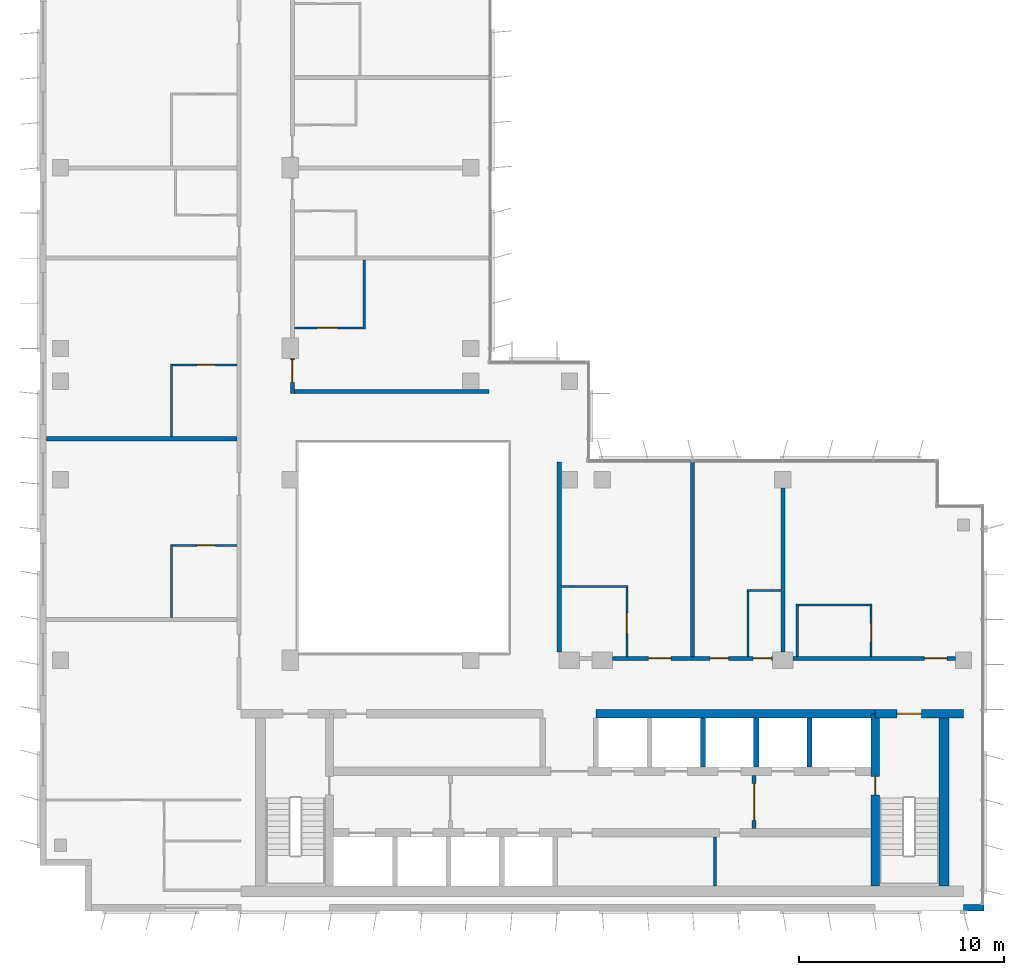
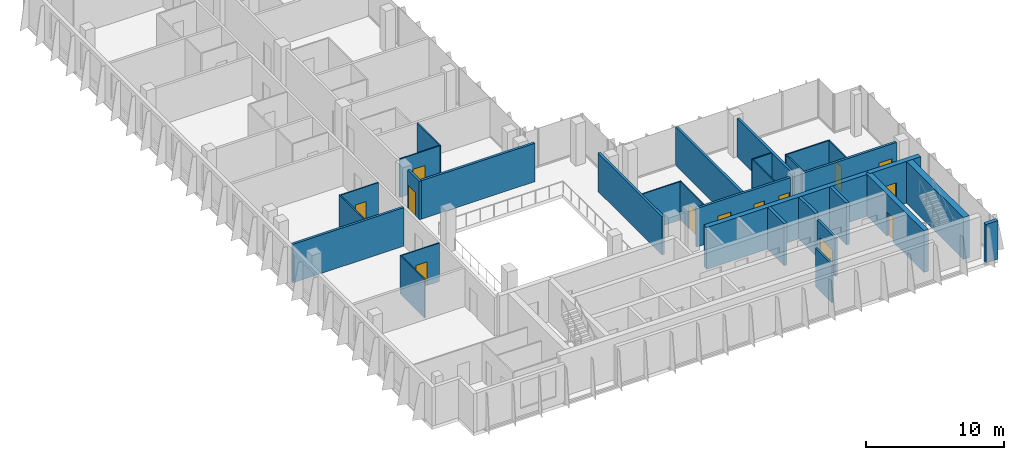
# One storey, part 10 of 15: 31 walls, 13 doors, 13 openings.
"""IFC4 building model written with IfcOpenShell, lengths in metres."""

from ifc_helpers import new_model, si_unit, direction, frame, frame_2d, origin, place, context, subcontext, project, spatial, rectangle, extrude, material, layer, layer_set, type_object, element, fill, save


model = new_model("IFC4")

# Units and contexts
model_context = context("Model", 3, precision=1e-05, world=origin(), true_north=direction((0.0, 1.0)))
body_context = subcontext(model_context, "Body", "Model", "MODEL_VIEW")
ifc_project = project(units=[si_unit("LENGTHUNIT", "METRE"), si_unit("AREAUNIT", "SQUARE_METRE"), si_unit("VOLUMEUNIT", "CUBIC_METRE"), si_unit("PLANEANGLEUNIT", "RADIAN"), si_unit("MASSUNIT", "GRAM", prefix="KILO")], contexts=[model_context])

# Site, building, storey
site_placement = place(None, origin())
site = spatial("IfcSite", under=ifc_project, at=site_placement, CompositionType="ELEMENT")
building_placement = place(site_placement, origin())
building = spatial("IfcBuilding", under=site, at=building_placement, Name="Kemantara Hotel Tower", CompositionType="ELEMENT")
storey_placement = place(building_placement, frame((0.0, 0.0, 268.5)))
storey = spatial("IfcBuildingStorey", under=building, at=storey_placement, Name="L67", CompositionType="ELEMENT", Elevation=268.5)

# Walls
ifc_material_1 = material(Name="Bronze anodised aluminium cladding on insulated steel stud wall", Category="steel")
ifc_layer_1 = layer(ifc_material_1, 0.300048828125)
ifc_layer_set_1 = layer_set([ifc_layer_1], Name="Bronze anodised aluminium cladding on insulated steel stud wall")
wall_type_1 = type_object("IfcWallType", Name="BRONZE METAL-CLAD EXTERNAL WALL 300", PredefinedType="STANDARD", material=ifc_layer_set_1)
wall_1_placement = place(storey_placement, frame((45.0, 0.14990234375, 0.0), z_axis=(0.0, 0.0, 1.0), x_axis=(1.0, 0.0, 0.0)))
element("IfcWall", 1, at=wall_1_placement, inside=storey, type_object=wall_type_1, Name="EXTERNAL WALL L67 T4-R08-3", PredefinedType="STANDARD", context=body_context, shape_type="SweptSolid", body=[
    extrude(rectangle(XDim=1.0, YDim=0.300048828125, at=frame_2d((0.5, 0.0))), origin(), (0.0, 0.0, 1.0), 3.39990234375),
])
ifc_material_2 = material(Name="Concrete fc 50 MPa", Category="concrete")
ifc_layer_2 = layer(ifc_material_2, 0.25)
ifc_layer_set_2 = layer_set([ifc_layer_2], Name="Concrete fc 50 MPa")
wall_type_2 = type_object("IfcWallType", Name="CORE WALL 250 FC50", PredefinedType="SHEAR", material=ifc_layer_set_2)
for number, where, z_axis, x_axis, name in (
    (2, (32.300048828125, 7.0, 0.0), (0.0, 0.0, 1.0), (0.0, 1.0, 0.0), "CORE WALL CW-DN32.3"),
    (3, (34.89990234375, 7.0, 0.0), (0.0, 0.0, 1.0), (0.0, 1.0, 0.0), "CORE WALL CW-DN34.9"),
    (4, (37.5, 7.0, 0.0), (0.0, 0.0, 1.0), (0.0, 1.0, 0.0), "CORE WALL CW-DN37.5"),
):
    element("IfcWall", number, at=place(storey_placement, frame(where, z_axis=z_axis, x_axis=x_axis)), inside=storey, type_object=wall_type_2, Name=name, PredefinedType="SHEAR", context=body_context, shape_type="SweptSolid", body=[
        extrude(rectangle(XDim=2.39990234375, YDim=0.25, at=frame_2d((1.199951171875, 0.0))), origin(), (0.0, 0.0, 1.0), 3.699951171875),
    ])

# Wall, opening, door
ifc_layer_3 = layer(ifc_material_2, 0.39990234375)
ifc_layer_set_3 = layer_set([ifc_layer_3], Name="Concrete fc 50 MPa")
wall_type_3 = type_object("IfcWallType", Name="CORE WALL 400 FC50", PredefinedType="SHEAR", material=ifc_layer_set_3)
wall_2_placement = place(storey_placement, frame((40.699951171875, 9.60009765625, 0.0), z_axis=(0.0, 0.0, 1.0), x_axis=(1.0, 0.0, 0.0)))
wall_2 = element("IfcWall", 5, at=wall_2_placement, inside=storey, type_object=wall_type_3, Name="CORE WALL CW-N2", PredefinedType="SHEAR", context=body_context, shape_type="SweptSolid", body=[
    extrude(rectangle(XDim=4.300048828125, YDim=0.39990234375, at=frame_2d((2.14990234375, 0.0))), origin(), (0.0, 0.0, 1.0), 3.699951171875),
])
opening_1_placement = place(wall_2_placement, frame((1.050048828125, 0.0, 0.0)))
opening_1 = element("IfcOpeningElement", 6, at=opening_1_placement, cuts=wall_2, Name="Opening C39-ST2-C", PredefinedType="OPENING", context=body_context, shape_type="SweptSolid", body=[
    extrude(rectangle(XDim=1.199951171875, YDim=2.10009765625, at=frame_2d((0.60009765625, 1.050048828125))), frame((0.0, 0.2099609375, 0.0), z_axis=(0.0, -1.0, 0.0), x_axis=(1.0, 0.0, 0.0)), (0.0, 0.0, 1.0), 0.419921875),
])
ifc_material_3 = material(Name="Steel fire door", Category="steel")
door_type_1 = type_object("IfcDoorType", Name="Fire door FD90 1200 x 2100", OperationType="NOTDEFINED", PredefinedType="DOOR", material=ifc_material_3)
door_1_placement = place(opening_1_placement, frame((1.199951171875, 0.0, 0.0), z_axis=(0.0, 0.0, 1.0), x_axis=(-1.0, 0.0, 0.0)))
door_1 = element("IfcDoor", 7, at=door_1_placement, inside=storey, type_object=door_type_1, Name="Stair ST2 door to corridor", OperationType="SINGLE_SWING_RIGHT", OverallHeight=2.10009765625, OverallWidth=1.199951171875, PredefinedType="DOOR", context=body_context, shape_type="SweptSolid", body=[
    extrude(rectangle(XDim=1.199951171875, YDim=2.10009765625, at=frame_2d((0.60009765625, 1.050048828125))), frame((0.0, 0.02490234375, 0.0), z_axis=(0.0, -1.0, 0.0), x_axis=(1.0, 0.0, 0.0)), (0.0, 0.0, 1.0), 0.050048828125),
])
fill(opening_1, door_1)

# Wall
wall_3_placement = place(storey_placement, frame((27.10009765625, 9.60009765625, 0.0), z_axis=(0.0, 0.0, 1.0), x_axis=(1.0, 0.0, 0.0)))
element("IfcWall", 8, at=wall_3_placement, inside=storey, type_object=wall_type_3, Name="CORE WALL CW-NN2", PredefinedType="SHEAR", context=body_context, shape_type="SweptSolid", body=[
    extrude(rectangle(XDim=13.599853515625, YDim=0.39990234375, at=frame_2d((6.7998046875, 0.0))), origin(), (0.0, 0.0, 1.0), 3.699951171875),
])

# Wall, opening, door
wall_4_placement = place(storey_placement, frame((40.699951171875, 1.199951171875, 0.0), z_axis=(0.0, 0.0, 1.0), x_axis=(0.0, 1.0, 0.0)))
wall_4 = element("IfcWall", 9, at=wall_4_placement, inside=storey, type_object=wall_type_3, Name="CORE WALL CW-ST2W", PredefinedType="SHEAR", context=body_context, shape_type="SweptSolid", body=[
    extrude(rectangle(XDim=8.400146484375, YDim=0.39990234375, at=frame_2d((4.2001953125, 0.0))), origin(), (0.0, 0.0, 1.0), 3.699951171875),
])
opening_2_placement = place(wall_4_placement, frame((4.449951171875, 0.0, 0.0)))
opening_2 = element("IfcOpeningElement", 10, at=opening_2_placement, cuts=wall_4, Name="Opening C39-ST2-F", PredefinedType="OPENING", context=body_context, shape_type="SweptSolid", body=[
    extrude(rectangle(XDim=0.89990234375, YDim=2.10009765625, at=frame_2d((0.449951171875, 1.050048828125))), frame((0.0, 0.2099609375, 0.0), z_axis=(0.0, -1.0, 0.0), x_axis=(1.0, 0.0, 0.0)), (0.0, 0.0, 1.0), 0.419921875),
])
door_type_2 = type_object("IfcDoorType", Name="Fire door FD90 900 x 2100", OperationType="NOTDEFINED", PredefinedType="DOOR", material=ifc_material_3)
door_2_placement = place(opening_2_placement, frame((0.89990234375, 0.0, 0.0), z_axis=(0.0, 0.0, 1.0), x_axis=(-1.0, 0.0, 0.0)))
door_2 = element("IfcDoor", 11, at=door_2_placement, inside=storey, type_object=door_type_2, Name="Stair ST2 door to firefighting lobby", OperationType="SINGLE_SWING_LEFT", OverallHeight=2.10009765625, OverallWidth=0.89990234375, PredefinedType="DOOR", context=body_context, shape_type="SweptSolid", body=[
    extrude(rectangle(XDim=0.89990234375, YDim=2.10009765625, at=frame_2d((0.449951171875, 1.050048828125))), frame((0.0, 0.02490234375, 0.0), z_axis=(0.0, -1.0, 0.0), x_axis=(1.0, 0.0, 0.0)), (0.0, 0.0, 1.0), 0.050048828125),
])
fill(opening_2, door_2)

# Wall
ifc_layer_4 = layer(ifc_material_2, 0.5)
ifc_layer_set_4 = layer_set([ifc_layer_4], Name="Concrete fc 50 MPa")
wall_type_4 = type_object("IfcWallType", Name="CORE WALL 500 FC50", PredefinedType="SHEAR", material=ifc_layer_set_4)
wall_5_placement = place(storey_placement, frame((44.050048828125, 1.199951171875, 0.0), z_axis=(0.0, 0.0, 1.0), x_axis=(0.0, 1.0, 0.0)))
element("IfcWall", 12, at=wall_5_placement, inside=storey, type_object=wall_type_4, Name="CORE WALL CW-E", PredefinedType="SHEAR", context=body_context, shape_type="SweptSolid", body=[
    extrude(rectangle(XDim=8.60009765625, YDim=0.5, at=frame_2d((4.300048828125, 0.0))), origin(), (0.0, 0.0, 1.0), 3.699951171875),
])

# Wall, openings, doors
ifc_material_4 = material(Name="Gypsum board partition, steel studs and mineral wool, 200 mm", Category="steel")
ifc_layer_5 = layer(ifc_material_4, 0.199951171875)
ifc_layer_set_5 = layer_set([ifc_layer_5], Name="Gypsum board partition, steel studs and mineral wool, 200 mm")
wall_type_5 = type_object("IfcWallType", Name="CORRIDOR WALL 200", PredefinedType="PARTITIONING", material=ifc_layer_set_5)
wall_6_placement = place(storey_placement, frame((27.900146484375, 12.300048828125, 0.0), z_axis=(0.0, 0.0, 1.0), x_axis=(1.0, 0.0, 0.0)))
wall_6 = element("IfcWall", 13, at=wall_6_placement, inside=storey, type_object=wall_type_5, Name="CORRIDOR WALL 200 002", PredefinedType="PARTITIONING", context=body_context, shape_type="SweptSolid", body=[
    extrude(rectangle(XDim=7.7998046875, YDim=0.199951171875, at=frame_2d((3.89990234375, 0.0))), origin(), (0.0, 0.0, 1.0), 3.39990234375),
])
opening_3_placement = place(wall_6_placement, frame((1.75, 0.0, 0.0)))
opening_3 = element("IfcOpeningElement", 14, at=opening_3_placement, cuts=wall_6, Name="Opening F33-001", PredefinedType="OPENING", context=body_context, shape_type="SweptSolid", body=[
    extrude(rectangle(XDim=1.10009765625, YDim=2.10009765625, at=frame_2d((0.550048828125, 1.050048828125))), frame((0.0, 0.10986328125, 0.0), z_axis=(0.0, -1.0, 0.0), x_axis=(1.0, 0.0, 0.0)), (0.0, 0.0, 1.0), 0.219970703125),
])
opening_4_placement = place(wall_6_placement, frame((4.75, 0.0, 0.0)))
opening_4 = element("IfcOpeningElement", 15, at=opening_4_placement, cuts=wall_6, Name="Opening F33-003", PredefinedType="OPENING", context=body_context, shape_type="SweptSolid", body=[
    extrude(rectangle(XDim=0.89990234375, YDim=2.10009765625, at=frame_2d((0.449951171875, 1.050048828125))), frame((0.0, 0.10986328125, 0.0), z_axis=(0.0, -1.0, 0.0), x_axis=(1.0, 0.0, 0.0)), (0.0, 0.0, 1.0), 0.219970703125),
])
opening_5_placement = place(wall_6_placement, frame((6.849853515625, 0.0, 0.0)))
opening_5 = element("IfcOpeningElement", 16, at=opening_5_placement, cuts=wall_6, Name="Opening F33-004", PredefinedType="OPENING", context=body_context, shape_type="SweptSolid", body=[
    extrude(rectangle(XDim=0.89990234375, YDim=2.10009765625, at=frame_2d((0.449951171875, 1.050048828125))), frame((0.0, 0.10986328125, 0.0), z_axis=(0.0, -1.0, 0.0), x_axis=(1.0, 0.0, 0.0)), (0.0, 0.0, 1.0), 0.219970703125),
])
ifc_material_5 = material(Name="Hardwood veneer door leaf with steel frame", Category="steel")
door_type_3 = type_object("IfcDoorType", Name="GUEST ROOM DOOR 1100 X 2100 FD30S", OperationType="NOTDEFINED", PredefinedType="DOOR", material=ifc_material_5)
door_3_placement = place(opening_3_placement, origin())
door_3 = element("IfcDoor", 17, at=door_3_placement, inside=storey, type_object=door_type_3, Name="GUEST ROOM DOOR F33-001", OperationType="SINGLE_SWING_RIGHT", OverallHeight=2.10009765625, OverallWidth=1.10009765625, PredefinedType="DOOR", context=body_context, shape_type="SweptSolid", body=[
    extrude(rectangle(XDim=1.10009765625, YDim=2.10009765625, at=frame_2d((0.550048828125, 1.050048828125))), frame((0.0, 0.02490234375, 0.0), z_axis=(0.0, -1.0, 0.0), x_axis=(1.0, 0.0, 0.0)), (0.0, 0.0, 1.0), 0.050048828125),
])
fill(opening_3, door_3)
ifc_material_6 = material(Name="Steel door leaf with steel frame", Category="steel")
door_type_4 = type_object("IfcDoorType", Name="SERVICE ROOM DOOR 900 X 2100 FD60", OperationType="NOTDEFINED", PredefinedType="DOOR", material=ifc_material_6)
door_4_placement = place(opening_4_placement, origin())
door_4 = element("IfcDoor", 18, at=door_4_placement, inside=storey, type_object=door_type_4, Name="SERVICE ROOM DOOR F33-003", OperationType="SINGLE_SWING_LEFT", OverallHeight=2.10009765625, OverallWidth=0.89990234375, PredefinedType="DOOR", context=body_context, shape_type="SweptSolid", body=[
    extrude(rectangle(XDim=0.89990234375, YDim=2.10009765625, at=frame_2d((0.449951171875, 1.050048828125))), frame((0.0, 0.02490234375, 0.0), z_axis=(0.0, -1.0, 0.0), x_axis=(1.0, 0.0, 0.0)), (0.0, 0.0, 1.0), 0.050048828125),
])
fill(opening_4, door_4)
door_5_placement = place(opening_5_placement, origin())
door_5 = element("IfcDoor", 19, at=door_5_placement, inside=storey, type_object=door_type_4, Name="SERVICE ROOM DOOR F33-004", OperationType="SINGLE_SWING_RIGHT", OverallHeight=2.10009765625, OverallWidth=0.89990234375, PredefinedType="DOOR", context=body_context, shape_type="SweptSolid", body=[
    extrude(rectangle(XDim=0.89990234375, YDim=2.10009765625, at=frame_2d((0.449951171875, 1.050048828125))), frame((0.0, 0.02490234375, 0.0), z_axis=(0.0, -1.0, 0.0), x_axis=(1.0, 0.0, 0.0)), (0.0, 0.0, 1.0), 0.050048828125),
])
fill(opening_5, door_5)

# Wall, opening, door
wall_7_placement = place(storey_placement, frame((36.7001953125, 12.300048828125, 0.0), z_axis=(0.0, 0.0, 1.0), x_axis=(1.0, 0.0, 0.0)))
wall_7 = element("IfcWall", 20, at=wall_7_placement, inside=storey, type_object=wall_type_5, Name="CORRIDOR WALL 200 003", PredefinedType="PARTITIONING", context=body_context, shape_type="SweptSolid", body=[
    extrude(rectangle(XDim=7.899658203125, YDim=0.199951171875, at=frame_2d((3.94970703125, 0.0))), origin(), (0.0, 0.0, 1.0), 3.39990234375),
])
opening_6_placement = place(wall_7_placement, frame((6.39990234375, 0.0, 0.0)))
opening_6 = element("IfcOpeningElement", 21, at=opening_6_placement, cuts=wall_7, Name="Opening F33-005", PredefinedType="OPENING", context=body_context, shape_type="SweptSolid", body=[
    extrude(rectangle(XDim=1.10009765625, YDim=2.10009765625, at=frame_2d((0.550048828125, 1.050048828125))), frame((0.0, 0.10986328125, 0.0), z_axis=(0.0, -1.0, 0.0), x_axis=(1.0, 0.0, 0.0)), (0.0, 0.0, 1.0), 0.219970703125),
])
door_type_5 = type_object("IfcDoorType", Name="SUITE ENTRANCE DOOR 1100 X 2100 FD30S", OperationType="NOTDEFINED", PredefinedType="DOOR", material=ifc_material_5)
door_6_placement = place(opening_6_placement, origin())
door_6 = element("IfcDoor", 22, at=door_6_placement, inside=storey, type_object=door_type_5, Name="SUITE ENTRANCE DOOR F33-005", OperationType="SINGLE_SWING_RIGHT", OverallHeight=2.10009765625, OverallWidth=1.10009765625, PredefinedType="DOOR", context=body_context, shape_type="SweptSolid", body=[
    extrude(rectangle(XDim=1.10009765625, YDim=2.10009765625, at=frame_2d((0.550048828125, 1.050048828125))), frame((0.0, 0.02490234375, 0.0), z_axis=(0.0, -1.0, 0.0), x_axis=(1.0, 0.0, 0.0)), (0.0, 0.0, 1.0), 0.050048828125),
])
fill(opening_6, door_6)

wall_8_placement = place(storey_placement, frame((12.300048828125, 26.89990234375, 0.0), z_axis=(0.0, 0.0, 1.0), x_axis=(0.0, -1.0, 0.0)))
wall_8 = element("IfcWall", 23, at=wall_8_placement, inside=storey, type_object=wall_type_5, Name="CORRIDOR WALL 200 018", PredefinedType="PARTITIONING", context=body_context, shape_type="SweptSolid", body=[
    extrude(rectangle(XDim=1.699951171875, YDim=0.199951171875, at=frame_2d((0.85009765625, 0.0))), origin(), (0.0, 0.0, 1.0), 3.39990234375),
])
opening_7_placement = place(wall_8_placement, frame((0.0498046875, 0.0, 0.0)))
opening_7 = element("IfcOpeningElement", 24, at=opening_7_placement, cuts=wall_8, Name="Opening F33-023", PredefinedType="OPENING", context=body_context, shape_type="SweptSolid", body=[
    extrude(rectangle(XDim=1.10009765625, YDim=2.10009765625, at=frame_2d((0.550048828125, 1.050048828125))), frame((0.0, 0.10986328125, 0.0), z_axis=(0.0, -1.0, 0.0), x_axis=(1.0, 0.0, 0.0)), (0.0, 0.0, 1.0), 0.219970703125),
])
door_7_placement = place(opening_7_placement, origin())
door_7 = element("IfcDoor", 25, at=door_7_placement, inside=storey, type_object=door_type_3, Name="GUEST ROOM DOOR F33-023", OperationType="SINGLE_SWING_RIGHT", OverallHeight=2.10009765625, OverallWidth=1.10009765625, PredefinedType="DOOR", context=body_context, shape_type="SweptSolid", body=[
    extrude(rectangle(XDim=1.10009765625, YDim=2.10009765625, at=frame_2d((0.550048828125, 1.050048828125))), frame((0.0, 0.02490234375, 0.0), z_axis=(0.0, -1.0, 0.0), x_axis=(1.0, 0.0, 0.0)), (0.0, 0.0, 1.0), 0.050048828125),
])
fill(opening_7, door_7)

# Walls
ifc_layer_6 = layer(ifc_material_4, 0.199951171875)
ifc_layer_set_6 = layer_set([ifc_layer_6], Name="Gypsum board partition, steel studs and mineral wool, 200 mm")
wall_type_6 = type_object("IfcWallType", Name="GUEST ROOM PARTY WALL 200", PredefinedType="PARTITIONING", material=ifc_layer_set_6)
wall_9_placement = place(storey_placement, frame((25.300048828125, 12.60009765625, 0.0), z_axis=(0.0, 0.0, 1.0), x_axis=(0.0, 1.0, 0.0)))
element("IfcWall", 26, at=wall_9_placement, inside=storey, type_object=wall_type_6, Name="GUEST ROOM PARTY WALL 200 004", PredefinedType="PARTITIONING", context=body_context, shape_type="SweptSolid", body=[
    extrude(rectangle(XDim=9.27001953125, YDim=0.199951171875, at=frame_2d((4.635009765625, 0.0))), origin(), (0.0, 0.0, 1.0), 3.39990234375),
])
wall_10_placement = place(storey_placement, frame((31.800048828125, 12.39990234375, 0.0), z_axis=(0.0, 0.0, 1.0), x_axis=(0.0, 1.0, 0.0)))
element("IfcWall", 27, at=wall_10_placement, inside=storey, type_object=wall_type_6, Name="GUEST ROOM PARTY WALL 200 005", PredefinedType="PARTITIONING", context=body_context, shape_type="SweptSolid", body=[
    extrude(rectangle(XDim=9.47021484375, YDim=0.199951171875, at=frame_2d((4.735107421875, 0.0))), origin(), (0.0, 0.0, 1.0), 3.39990234375),
])
wall_11_placement = place(storey_placement, frame((36.199951171875, 12.60009765625, 0.0), z_axis=(0.0, 0.0, 1.0), x_axis=(0.0, 1.0, 0.0)))
element("IfcWall", 28, at=wall_11_placement, inside=storey, type_object=wall_type_6, Name="GUEST ROOM PARTY WALL 200 006", PredefinedType="PARTITIONING", context=body_context, shape_type="SweptSolid", body=[
    extrude(rectangle(XDim=7.999755859375, YDim=0.199951171875, at=frame_2d((4.0, 0.0))), origin(), (0.0, 0.0, 1.0), 3.39990234375),
])
wall_12_placement = place(storey_placement, frame((0.31005859375, 23.0, 0.0), z_axis=(0.0, 0.0, 1.0), x_axis=(1.0, 0.0, 0.0)))
element("IfcWall", 29, at=wall_12_placement, inside=storey, type_object=wall_type_6, Name="GUEST ROOM PARTY WALL 200 010", PredefinedType="PARTITIONING", context=body_context, shape_type="SweptSolid", body=[
    extrude(rectangle(XDim=9.2900390625, YDim=0.199951171875, at=frame_2d((4.64501953125, 0.0))), origin(), (0.0, 0.0, 1.0), 3.39990234375),
])
wall_13_placement = place(storey_placement, frame((12.39990234375, 25.300048828125, 0.0), z_axis=(0.0, 0.0, 1.0), x_axis=(1.0, 0.0, 0.0)))
element("IfcWall", 30, at=wall_13_placement, inside=storey, type_object=wall_type_6, Name="GUEST ROOM PARTY WALL 200 023", PredefinedType="PARTITIONING", context=body_context, shape_type="SweptSolid", body=[
    extrude(rectangle(XDim=9.47021484375, YDim=0.199951171875, at=frame_2d((4.735107421875, 0.0))), origin(), (0.0, 0.0, 1.0), 3.39990234375),
])
ifc_material_7 = material(Name="Gypsum board partition")
ifc_layer_7 = layer(ifc_material_7, 0.14990234375)
ifc_layer_set_7 = layer_set([ifc_layer_7], Name="Gypsum board partition")
wall_type_7 = type_object("IfcWallType", Name="Gypsum board partition 150 mm", PredefinedType="PARTITIONING", material=ifc_layer_set_7)
wall_14_placement = place(storey_placement, frame((32.89990234375, 1.199951171875, 0.0), z_axis=(0.0, 0.0, 1.0), x_axis=(0.0, 1.0, 0.0)))
element("IfcWall", 31, at=wall_14_placement, inside=storey, type_object=wall_type_7, Name="Core room partition", PredefinedType="PARTITIONING", context=body_context, shape_type="SweptSolid", body=[
    extrude(rectangle(XDim=2.400146484375, YDim=0.14990234375, at=frame_2d((1.2001953125, 0.0))), origin(), (0.0, 0.0, 1.0), 3.39990234375),
])

# Wall, opening, door
ifc_material_8 = material(Name="Gypsum board shaft wall")
ifc_layer_8 = layer(ifc_material_8, 0.199951171875)
ifc_layer_set_8 = layer_set([ifc_layer_8], Name="Gypsum board shaft wall")
wall_type_8 = type_object("IfcWallType", Name="Gypsum board shaft wall 200 mm", PredefinedType="PARTITIONING", material=ifc_layer_set_8)
wall_15_placement = place(storey_placement, frame((34.800048828125, 4.0, 0.0), z_axis=(0.0, 0.0, 1.0), x_axis=(0.0, 1.0, 0.0)))
wall_15 = element("IfcWall", 32, at=wall_15_placement, inside=storey, type_object=wall_type_8, Name="Firefighting lobby partition east", PredefinedType="PARTITIONING", context=body_context, shape_type="SweptSolid", body=[
    extrude(rectangle(XDim=2.60009765625, YDim=0.199951171875, at=frame_2d((1.300048828125, 0.0))), origin(), (0.0, 0.0, 1.0), 3.39990234375),
])
opening_8_placement = place(wall_15_placement, frame((0.39990234375, 0.0, 0.0)))
opening_8 = element("IfcOpeningElement", 33, at=opening_8_placement, cuts=wall_15, Name="Opening C39-FFE", PredefinedType="OPENING", context=body_context, shape_type="SweptSolid", body=[
    extrude(rectangle(XDim=1.800048828125, YDim=2.10009765625, at=frame_2d((0.89990234375, 1.050048828125))), frame((0.0, 0.10986328125, 0.0), z_axis=(0.0, -1.0, 0.0), x_axis=(1.0, 0.0, 0.0)), (0.0, 0.0, 1.0), 0.219970703125),
])
door_type_6 = type_object("IfcDoorType", Name="Fire door pair FD60 1800 x 2100", OperationType="DOUBLE_DOOR_SINGLE_SWING", PredefinedType="DOOR", material=ifc_material_3)
door_8_placement = place(opening_8_placement, frame((1.800048828125, 0.0, 0.0), z_axis=(0.0, 0.0, 1.0), x_axis=(-1.0, 0.0, 0.0)))
door_8 = element("IfcDoor", 34, at=door_8_placement, inside=storey, type_object=door_type_6, Name="Firefighting lobby door east", OperationType="DOUBLE_DOOR_SINGLE_SWING", OverallHeight=2.10009765625, OverallWidth=1.800048828125, PredefinedType="DOOR", context=body_context, shape_type="SweptSolid", body=[
    extrude(rectangle(XDim=1.800048828125, YDim=2.10009765625, at=frame_2d((0.89990234375, 1.050048828125))), frame((0.0, 0.02490234375, 0.0), z_axis=(0.0, -1.0, 0.0), x_axis=(1.0, 0.0, 0.0)), (0.0, 0.0, 1.0), 0.050048828125),
])
fill(opening_8, door_8)

# Wall
ifc_material_9 = material(Name="Gypsum board partition on steel studs, 100 mm", Category="steel")
ifc_layer_9 = layer(ifc_material_9, 0.10009765625)
ifc_layer_set_9 = layer_set([ifc_layer_9], Name="Gypsum board partition on steel studs, 100 mm")
wall_type_9 = type_object("IfcWallType", Name="ROOM PARTITION 100", PredefinedType="PARTITIONING", material=ifc_layer_set_9)
wall_16_placement = place(storey_placement, frame((25.39990234375, 15.800048828125, 0.0), z_axis=(0.0, 0.0, 1.0), x_axis=(1.0, 0.0, 0.0)))
element("IfcWall", 35, at=wall_16_placement, inside=storey, type_object=wall_type_9, Name="ROOM PARTITION 100 025", PredefinedType="PARTITIONING", context=body_context, shape_type="SweptSolid", body=[
    extrude(rectangle(XDim=3.25, YDim=0.10009765625, at=frame_2d((1.625, 0.0))), origin(), (0.0, 0.0, 1.0), 3.39990234375),
])

# Wall, opening, door
wall_17_placement = place(storey_placement, frame((28.60009765625, 12.39990234375, 0.0), z_axis=(0.0, 0.0, 1.0), x_axis=(0.0, 1.0, 0.0)))
wall_17 = element("IfcWall", 36, at=wall_17_placement, inside=storey, type_object=wall_type_9, Name="ROOM PARTITION 100 026", PredefinedType="PARTITIONING", context=body_context, shape_type="SweptSolid", body=[
    extrude(rectangle(XDim=3.35009765625, YDim=0.10009765625, at=frame_2d((1.675048828125, 0.0))), origin(), (0.0, 0.0, 1.0), 3.39990234375),
])
opening_9_placement = place(wall_17_placement, frame((1.10009765625, 0.0, 0.0)))
opening_9 = element("IfcOpeningElement", 37, at=opening_9_placement, cuts=wall_17, Name="Opening F33-002", PredefinedType="OPENING", context=body_context, shape_type="SweptSolid", body=[
    extrude(rectangle(XDim=1.0, YDim=2.10009765625, at=frame_2d((0.5, 1.050048828125))), frame((0.0, 0.06005859375, 0.0), z_axis=(0.0, -1.0, 0.0), x_axis=(1.0, 0.0, 0.0)), (0.0, 0.0, 1.0), 0.1201171875),
])
door_type_7 = type_object("IfcDoorType", Name="BATHROOM DOOR 1000 X 2100", OperationType="NOTDEFINED", PredefinedType="DOOR", material=ifc_material_5)
door_9_placement = place(opening_9_placement, origin())
door_9 = element("IfcDoor", 38, at=door_9_placement, inside=storey, type_object=door_type_7, Name="BATHROOM DOOR F33-002", OperationType="SINGLE_SWING_LEFT", OverallHeight=2.10009765625, OverallWidth=1.0, PredefinedType="DOOR", context=body_context, shape_type="SweptSolid", body=[
    extrude(rectangle(XDim=1.0, YDim=2.10009765625, at=frame_2d((0.5, 1.050048828125))), frame((0.0, 0.02490234375, 0.0), z_axis=(0.0, -1.0, 0.0), x_axis=(1.0, 0.0, 0.0)), (0.0, 0.0, 1.0), 0.050048828125),
])
fill(opening_9, door_9)

# Walls
wall_18_placement = place(storey_placement, frame((34.449951171875, 15.60009765625, 0.0), z_axis=(0.0, 0.0, 1.0), x_axis=(1.0, 0.0, 0.0)))
element("IfcWall", 39, at=wall_18_placement, inside=storey, type_object=wall_type_9, Name="ROOM PARTITION 100 027", PredefinedType="PARTITIONING", context=body_context, shape_type="SweptSolid", body=[
    extrude(rectangle(XDim=1.650146484375, YDim=0.10009765625, at=frame_2d((0.8251953125, 0.0))), origin(), (0.0, 0.0, 1.0), 3.39990234375),
])
wall_19_placement = place(storey_placement, frame((34.5, 12.39990234375, 0.0), z_axis=(0.0, 0.0, 1.0), x_axis=(0.0, 1.0, 0.0)))
element("IfcWall", 40, at=wall_19_placement, inside=storey, type_object=wall_type_9, Name="ROOM PARTITION 100 028", PredefinedType="PARTITIONING", context=body_context, shape_type="SweptSolid", body=[
    extrude(rectangle(XDim=3.150146484375, YDim=0.10009765625, at=frame_2d((1.5751953125, 0.0))), origin(), (0.0, 0.0, 1.0), 3.39990234375),
])
wall_20_placement = place(storey_placement, frame((36.85009765625, 14.89990234375, 0.0), z_axis=(0.0, 0.0, 1.0), x_axis=(1.0, 0.0, 0.0)))
element("IfcWall", 41, at=wall_20_placement, inside=storey, type_object=wall_type_9, Name="ROOM PARTITION 100 029", PredefinedType="PARTITIONING", context=body_context, shape_type="SweptSolid", body=[
    extrude(rectangle(XDim=3.699951171875, YDim=0.10009765625, at=frame_2d((1.85009765625, 0.0))), origin(), (0.0, 0.0, 1.0), 3.39990234375),
])
wall_21_placement = place(storey_placement, frame((36.89990234375, 12.39990234375, 0.0), z_axis=(0.0, 0.0, 1.0), x_axis=(0.0, 1.0, 0.0)))
element("IfcWall", 42, at=wall_21_placement, inside=storey, type_object=wall_type_9, Name="ROOM PARTITION 100 030", PredefinedType="PARTITIONING", context=body_context, shape_type="SweptSolid", body=[
    extrude(rectangle(XDim=2.4501953125, YDim=0.10009765625, at=frame_2d((1.22509765625, 0.0))), origin(), (0.0, 0.0, 1.0), 3.39990234375),
])

# Wall, opening, door
wall_22_placement = place(storey_placement, frame((40.5, 12.39990234375, 0.0), z_axis=(0.0, 0.0, 1.0), x_axis=(0.0, 1.0, 0.0)))
wall_22 = element("IfcWall", 43, at=wall_22_placement, inside=storey, type_object=wall_type_9, Name="ROOM PARTITION 100 031", PredefinedType="PARTITIONING", context=body_context, shape_type="SweptSolid", body=[
    extrude(rectangle(XDim=2.4501953125, YDim=0.10009765625, at=frame_2d((1.22509765625, 0.0))), origin(), (0.0, 0.0, 1.0), 3.39990234375),
])
opening_10_placement = place(wall_22_placement, frame((0.699951171875, 0.0, 0.0)))
opening_10 = element("IfcOpeningElement", 44, at=opening_10_placement, cuts=wall_22, Name="Opening F33-006", PredefinedType="OPENING", context=body_context, shape_type="SweptSolid", body=[
    extrude(rectangle(XDim=0.89990234375, YDim=2.10009765625, at=frame_2d((0.449951171875, 1.050048828125))), frame((0.0, 0.06005859375, 0.0), z_axis=(0.0, -1.0, 0.0), x_axis=(1.0, 0.0, 0.0)), (0.0, 0.0, 1.0), 0.1201171875),
])
door_type_8 = type_object("IfcDoorType", Name="BATHROOM DOOR 900 X 2100", OperationType="NOTDEFINED", PredefinedType="DOOR", material=ifc_material_5)
door_10_placement = place(opening_10_placement, origin())
door_10 = element("IfcDoor", 45, at=door_10_placement, inside=storey, type_object=door_type_8, Name="BATHROOM DOOR F33-006", OperationType="SINGLE_SWING_LEFT", OverallHeight=2.10009765625, OverallWidth=0.89990234375, PredefinedType="DOOR", context=body_context, shape_type="SweptSolid", body=[
    extrude(rectangle(XDim=0.89990234375, YDim=2.10009765625, at=frame_2d((0.449951171875, 1.050048828125))), frame((0.0, 0.02490234375, 0.0), z_axis=(0.0, -1.0, 0.0), x_axis=(1.0, 0.0, 0.0)), (0.0, 0.0, 1.0), 0.050048828125),
])
fill(opening_10, door_10)

# Walls
wall_23_placement = place(storey_placement, frame((6.39990234375, 14.300048828125, 0.0), z_axis=(0.0, 0.0, 1.0), x_axis=(0.0, 1.0, 0.0)))
element("IfcWall", 46, at=wall_23_placement, inside=storey, type_object=wall_type_9, Name="ROOM PARTITION 100 036", PredefinedType="PARTITIONING", context=body_context, shape_type="SweptSolid", body=[
    extrude(rectangle(XDim=3.550048828125, YDim=0.10009765625, at=frame_2d((1.77490234375, 0.0))), origin(), (0.0, 0.0, 1.0), 3.39990234375),
])
wall_24_placement = place(storey_placement, frame((6.39990234375, 23.10009765625, 0.0), z_axis=(0.0, 0.0, 1.0), x_axis=(0.0, 1.0, 0.0)))
element("IfcWall", 47, at=wall_24_placement, inside=storey, type_object=wall_type_9, Name="ROOM PARTITION 100 037", PredefinedType="PARTITIONING", context=body_context, shape_type="SweptSolid", body=[
    extrude(rectangle(XDim=3.5498046875, YDim=0.10009765625, at=frame_2d((1.77490234375, 0.0))), origin(), (0.0, 0.0, 1.0), 3.39990234375),
])

# Wall, opening, door
wall_25_placement = place(storey_placement, frame((9.60009765625, 17.800048828125, 0.0), z_axis=(0.0, 0.0, 1.0), x_axis=(-1.0, 0.0, 0.0)))
wall_25 = element("IfcWall", 48, at=wall_25_placement, inside=storey, type_object=wall_type_9, Name="ROOM PARTITION 100 040", PredefinedType="PARTITIONING", context=body_context, shape_type="SweptSolid", body=[
    extrude(rectangle(XDim=3.150146484375, YDim=0.10009765625, at=frame_2d((1.5751953125, 0.0))), origin(), (0.0, 0.0, 1.0), 3.39990234375),
])
opening_11_placement = place(wall_25_placement, frame((1.050048828125, 0.0, 0.0)))
opening_11 = element("IfcOpeningElement", 49, at=opening_11_placement, cuts=wall_25, Name="Opening F33-012", PredefinedType="OPENING", context=body_context, shape_type="SweptSolid", body=[
    extrude(rectangle(XDim=0.89990234375, YDim=2.10009765625, at=frame_2d((0.449951171875, 1.050048828125))), frame((0.0, 0.06005859375, 0.0), z_axis=(0.0, -1.0, 0.0), x_axis=(1.0, 0.0, 0.0)), (0.0, 0.0, 1.0), 0.1201171875),
])
door_11_placement = place(opening_11_placement, origin())
door_11 = element("IfcDoor", 50, at=door_11_placement, inside=storey, type_object=door_type_8, Name="BATHROOM DOOR F33-012", OperationType="SINGLE_SWING_LEFT", OverallHeight=2.10009765625, OverallWidth=0.89990234375, PredefinedType="DOOR", context=body_context, shape_type="SweptSolid", body=[
    extrude(rectangle(XDim=0.89990234375, YDim=2.10009765625, at=frame_2d((0.449951171875, 1.050048828125))), frame((0.0, 0.02490234375, 0.0), z_axis=(0.0, -1.0, 0.0), x_axis=(1.0, 0.0, 0.0)), (0.0, 0.0, 1.0), 0.050048828125),
])
fill(opening_11, door_11)

wall_26_placement = place(storey_placement, frame((9.60009765625, 26.60009765625, 0.0), z_axis=(0.0, 0.0, 1.0), x_axis=(-1.0, 0.0, 0.0)))
wall_26 = element("IfcWall", 51, at=wall_26_placement, inside=storey, type_object=wall_type_9, Name="ROOM PARTITION 100 041", PredefinedType="PARTITIONING", context=body_context, shape_type="SweptSolid", body=[
    extrude(rectangle(XDim=3.150146484375, YDim=0.10009765625, at=frame_2d((1.5751953125, 0.0))), origin(), (0.0, 0.0, 1.0), 3.39990234375),
])
opening_12_placement = place(wall_26_placement, frame((1.050048828125, 0.0, 0.0)))
opening_12 = element("IfcOpeningElement", 52, at=opening_12_placement, cuts=wall_26, Name="Opening F33-014", PredefinedType="OPENING", context=body_context, shape_type="SweptSolid", body=[
    extrude(rectangle(XDim=0.89990234375, YDim=2.10009765625, at=frame_2d((0.449951171875, 1.050048828125))), frame((0.0, 0.06005859375, 0.0), z_axis=(0.0, -1.0, 0.0), x_axis=(1.0, 0.0, 0.0)), (0.0, 0.0, 1.0), 0.1201171875),
])
door_12_placement = place(opening_12_placement, origin())
door_12 = element("IfcDoor", 53, at=door_12_placement, inside=storey, type_object=door_type_8, Name="BATHROOM DOOR F33-014", OperationType="SINGLE_SWING_LEFT", OverallHeight=2.10009765625, OverallWidth=0.89990234375, PredefinedType="DOOR", context=body_context, shape_type="SweptSolid", body=[
    extrude(rectangle(XDim=0.89990234375, YDim=2.10009765625, at=frame_2d((0.449951171875, 1.050048828125))), frame((0.0, 0.02490234375, 0.0), z_axis=(0.0, -1.0, 0.0), x_axis=(1.0, 0.0, 0.0)), (0.0, 0.0, 1.0), 0.050048828125),
])
fill(opening_12, door_12)

# Wall
wall_27_placement = place(storey_placement, frame((15.800048828125, 28.35009765625, 0.0), z_axis=(0.0, 0.0, 1.0), x_axis=(0.0, 1.0, 0.0)))
element("IfcWall", 54, at=wall_27_placement, inside=storey, type_object=wall_type_9, Name="ROOM PARTITION 100 049", PredefinedType="PARTITIONING", context=body_context, shape_type="SweptSolid", body=[
    extrude(rectangle(XDim=3.349853515625, YDim=0.10009765625, at=frame_2d((1.6748046875, 0.0))), origin(), (0.0, 0.0, 1.0), 3.39990234375),
])

# Wall, opening, door
wall_28_placement = place(storey_placement, frame((12.39990234375, 28.39990234375, 0.0), z_axis=(0.0, 0.0, 1.0), x_axis=(1.0, 0.0, 0.0)))
wall_28 = element("IfcWall", 55, at=wall_28_placement, inside=storey, type_object=wall_type_9, Name="ROOM PARTITION 100 050", PredefinedType="PARTITIONING", context=body_context, shape_type="SweptSolid", body=[
    extrude(rectangle(XDim=3.35009765625, YDim=0.10009765625, at=frame_2d((1.675048828125, 0.0))), origin(), (0.0, 0.0, 1.0), 3.39990234375),
])
opening_13_placement = place(wall_28_placement, frame((1.10009765625, 0.0, 0.0)))
opening_13 = element("IfcOpeningElement", 56, at=opening_13_placement, cuts=wall_28, Name="Opening F33-024", PredefinedType="OPENING", context=body_context, shape_type="SweptSolid", body=[
    extrude(rectangle(XDim=1.0, YDim=2.10009765625, at=frame_2d((0.5, 1.050048828125))), frame((0.0, 0.06005859375, 0.0), z_axis=(0.0, -1.0, 0.0), x_axis=(1.0, 0.0, 0.0)), (0.0, 0.0, 1.0), 0.1201171875),
])
door_13_placement = place(opening_13_placement, origin())
door_13 = element("IfcDoor", 57, at=door_13_placement, inside=storey, type_object=door_type_7, Name="BATHROOM DOOR F33-024", OperationType="SINGLE_SWING_LEFT", OverallHeight=2.10009765625, OverallWidth=1.0, PredefinedType="DOOR", context=body_context, shape_type="SweptSolid", body=[
    extrude(rectangle(XDim=1.0, YDim=2.10009765625, at=frame_2d((0.5, 1.050048828125))), frame((0.0, 0.02490234375, 0.0), z_axis=(0.0, -1.0, 0.0), x_axis=(1.0, 0.0, 0.0)), (0.0, 0.0, 1.0), 0.050048828125),
])
fill(opening_13, door_13)

save(model, "model.ifc")
